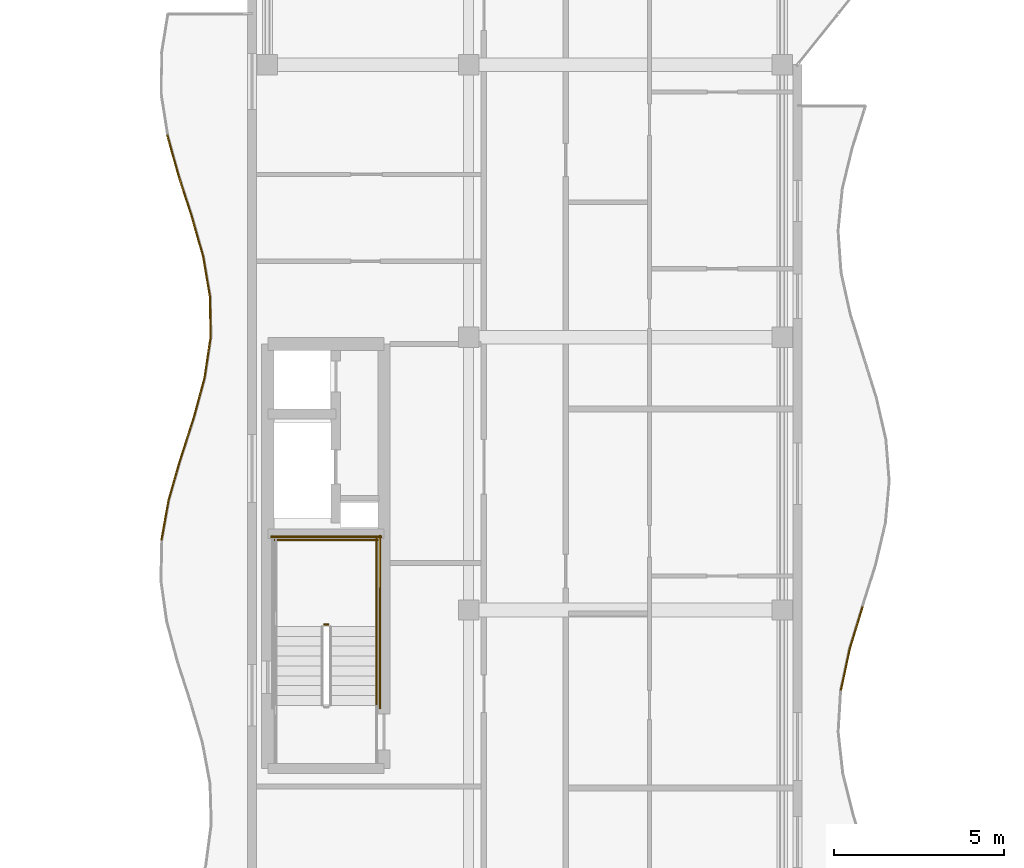
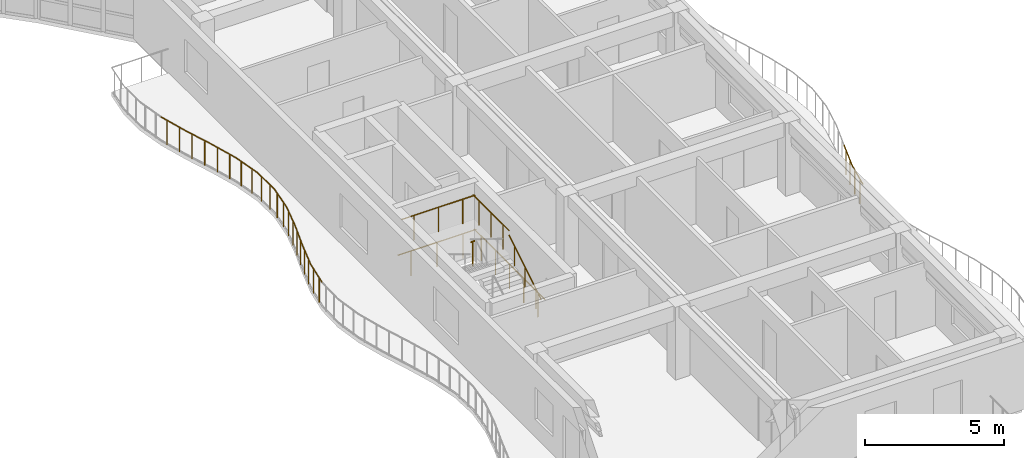
# One storey, part 59 of 71: 18 railings.
"""IFC4 building model written with IfcOpenShell, lengths in metres."""

from ifc_helpers import new_model, si_unit, direction, frame, origin, origin_2d, place, context, subcontext, project, spatial, circle, extrude, material, type_object, element, save


model = new_model("IFC4")

# Units and contexts
model_context = context("Model", 3, precision=1e-05, world=origin(), true_north=direction((0.0, 1.0)))
body_context = subcontext(model_context, "Body", "Model", "MODEL_VIEW")
ifc_project = project(units=[si_unit("LENGTHUNIT", "METRE"), si_unit("AREAUNIT", "SQUARE_METRE"), si_unit("VOLUMEUNIT", "CUBIC_METRE"), si_unit("PLANEANGLEUNIT", "RADIAN"), si_unit("MASSUNIT", "GRAM", prefix="KILO")], contexts=[model_context])

# Site, building, storey
site_placement = place(None, origin())
site = spatial("IfcSite", under=ifc_project, at=site_placement, CompositionType="ELEMENT")
building_placement = place(site_placement, origin())
building = spatial("IfcBuilding", under=site, at=building_placement, Name="Keldmere Railside Commons", CompositionType="ELEMENT")
storey_placement = place(building_placement, frame((0.0, 0.0, 20.159912109375)))
storey = spatial("IfcBuildingStorey", under=building, at=storey_placement, Name="L06", CompositionType="ELEMENT", Elevation=20.159912109375)

# Railings
ifc_material = material(Name="Steel F-24 (S235)", Category="steel")
railing_type_1 = type_object("IfcRailingType", Name="Balcony & Terrace Steel Balustrade 1100", PredefinedType="BALUSTRADE", material=ifc_material)
railing_1_placement = place(storey_placement, frame((121.2744140625, 69.64990234375, 0.0)))
element("IfcRailing", 1, at=railing_1_placement, inside=storey, type_object=railing_type_1, Name="GR-1 GRD-L06-2547", PredefinedType="BALUSTRADE", context=body_context, shape_type="SweptSolid", body=[
    extrude(circle(Radius=0.02392578125, at=origin_2d()), frame((0.0, 0.0, 1.076171875), z_axis=(0.207798139517, 0.978171729919, 0.0), x_axis=(-0.978171729919, 0.207798139517, 0.0)), (0.0, 0.0, 1.0), 1.25244140625),
    extrude(circle(Radius=0.02099609375, at=origin_2d()), frame((0.06494140625, 0.30615234375, 0.0)), (0.0, 0.0, 1.0), 1.048095703125),
    extrude(circle(Radius=0.02099609375, at=origin_2d()), frame((0.1953125, 0.9189453125, 0.0)), (0.0, 0.0, 1.0), 1.048095703125),
])
railing_2_placement = place(storey_placement, frame((121.53466796875, 70.875, 0.0)))
element("IfcRailing", 2, at=railing_2_placement, inside=storey, type_object=railing_type_1, Name="GR-1 GRD-L06-2548", PredefinedType="BALUSTRADE", context=body_context, shape_type="SweptSolid", body=[
    extrude(circle(Radius=0.02392578125, at=origin_2d()), frame((0.0, 0.0, 1.076171875), z_axis=(0.293563726254, 0.955939505737, 0.0), x_axis=(-0.955939505737, 0.293563726254, 0.0)), (0.0, 0.0, 1.0), 1.281494140625),
    extrude(circle(Radius=0.02099609375, at=origin_2d()), frame((0.093994140625, 0.30615234375, 0.0)), (0.0, 0.0, 1.0), 1.048095703125),
    extrude(circle(Radius=0.02099609375, at=origin_2d()), frame((0.2822265625, 0.9189453125, 0.0)), (0.0, 0.0, 1.0), 1.048095703125),
])
railing_3_placement = place(storey_placement, frame((101.33935546875, 74.04443359375, 0.0)))
element("IfcRailing", 3, at=railing_3_placement, inside=storey, type_object=railing_type_1, Name="GR-1 GRD-L06-2577", PredefinedType="BALUSTRADE", context=body_context, shape_type="SweptSolid", body=[
    extrude(circle(Radius=0.02392578125, at=origin_2d()), frame((0.0, 0.0, 1.076171875), z_axis=(0.17586059949, 0.984415079906, 0.0), x_axis=(-0.984415079906, 0.17586059949, 0.0)), (0.0, 0.0, 1.0), 1.207763671875),
    extrude(circle(Radius=0.02099609375, at=origin_2d()), frame((0.05322265625, 0.29736328125, 0.0)), (0.0, 0.0, 1.0), 1.048095703125),
    extrude(circle(Radius=0.02099609375, at=origin_2d()), frame((0.1591796875, 0.8916015625, 0.0)), (0.0, 0.0, 1.0), 1.048095703125),
])
railing_4_placement = place(storey_placement, frame((101.5517578125, 75.2333984375, 0.0)))
element("IfcRailing", 4, at=railing_4_placement, inside=storey, type_object=railing_type_1, Name="GR-1 GRD-L06-2578", PredefinedType="BALUSTRADE", context=body_context, shape_type="SweptSolid", body=[
    extrude(circle(Radius=0.02392578125, at=origin_2d()), frame((0.0, 0.0, 1.076171875), z_axis=(0.277430379162, 0.960745744054, 0.0), x_axis=(-0.960745744054, 0.277430379162, 0.0)), (0.0, 0.0, 1.0), 1.2373046875),
    extrude(circle(Radius=0.02099609375, at=origin_2d()), frame((0.0859375, 0.297119140625, 0.0)), (0.0, 0.0, 1.0), 1.048095703125),
    extrude(circle(Radius=0.02099609375, at=origin_2d()), frame((0.25732421875, 0.8916015625, 0.0)), (0.0, 0.0, 1.0), 1.048095703125),
])
railing_5_placement = place(storey_placement, frame((101.89501953125, 76.422119140625, 0.0)))
element("IfcRailing", 5, at=railing_5_placement, inside=storey, type_object=railing_type_1, Name="GR-1 GRD-L06-2579", PredefinedType="BALUSTRADE", context=body_context, shape_type="SweptSolid", body=[
    extrude(circle(Radius=0.02392578125, at=origin_2d()), frame((0.0, 0.0, 1.076171875), z_axis=(0.307539355173, 0.951535361939, 0.0), x_axis=(-0.951535361939, 0.307539355173, 0.0)), (0.0, 0.0, 1.0), 1.24951171875),
    extrude(circle(Radius=0.02099609375, at=origin_2d()), frame((0.09619140625, 0.29736328125, 0.0)), (0.0, 0.0, 1.0), 1.048095703125),
    extrude(circle(Radius=0.02099609375, at=origin_2d()), frame((0.2880859375, 0.8916015625, 0.0)), (0.0, 0.0, 1.0), 1.048095703125),
])
railing_6_placement = place(storey_placement, frame((102.279296875, 77.611083984375, 0.0)))
element("IfcRailing", 6, at=railing_6_placement, inside=storey, type_object=railing_type_1, Name="GR-1 GRD-L06-2580", PredefinedType="BALUSTRADE", context=body_context, shape_type="SweptSolid", body=[
    extrude(circle(Radius=0.02392578125, at=origin_2d()), frame((0.0, 0.0, 1.076171875), z_axis=(0.262899471861, 0.96482323132, 0.0), x_axis=(-0.96482323132, 0.262899471861, 0.0)), (0.0, 0.0, 1.0), 1.232421875),
    extrude(circle(Radius=0.02099609375, at=origin_2d()), frame((0.0810546875, 0.29736328125, 0.0)), (0.0, 0.0, 1.0), 1.048095703125),
    extrude(circle(Radius=0.02099609375, at=origin_2d()), frame((0.242919921875, 0.8916015625, 0.0)), (0.0, 0.0, 1.0), 1.048095703125),
])
railing_7_placement = place(storey_placement, frame((102.603271484375, 78.800048828125, 0.0)))
element("IfcRailing", 7, at=railing_7_placement, inside=storey, type_object=railing_type_1, Name="GR-1 GRD-L06-2581", PredefinedType="BALUSTRADE", context=body_context, shape_type="SweptSolid", body=[
    extrude(circle(Radius=0.02392578125, at=origin_2d()), frame((0.0, 0.0, 1.076171875), z_axis=(0.148241151414, 0.988951242998, 0.0), x_axis=(-0.988951242998, 0.148241151414, 0.0)), (0.0, 0.0, 1.0), 1.2021484375),
    extrude(circle(Radius=0.02099609375, at=origin_2d()), frame((0.04443359375, 0.29736328125, 0.0)), (0.0, 0.0, 1.0), 1.048095703125),
    extrude(circle(Radius=0.02099609375, at=origin_2d()), frame((0.1337890625, 0.8916015625, 0.0)), (0.0, 0.0, 1.0), 1.048095703125),
])
railing_8_placement = place(storey_placement, frame((102.781494140625, 79.989013671875, 0.0)))
element("IfcRailing", 8, at=railing_8_placement, inside=storey, type_object=railing_type_1, Name="GR-1 GRD-L06-2582", PredefinedType="BALUSTRADE", context=body_context, shape_type="SweptSolid", body=[
    extrude(circle(Radius=0.02392578125, at=origin_2d()), frame((0.0, 0.0, 1.076171875), z_axis=(-0.011911251878, 0.999929058523, 0.0), x_axis=(-0.999929058523, -0.011911251878, 0.0)), (0.0, 0.0, 1.0), 1.188720703125),
    extrude(circle(Radius=0.02099609375, at=origin_2d()), frame((-0.00341796875, 0.297119140625, 0.0)), (0.0, 0.0, 1.0), 1.048095703125),
    extrude(circle(Radius=0.02099609375, at=origin_2d()), frame((-0.0107421875, 0.8916015625, 0.0)), (0.0, 0.0, 1.0), 1.048095703125),
])
railing_9_placement = place(storey_placement, frame((102.767333984375, 81.177734375, 0.0)))
element("IfcRailing", 9, at=railing_9_placement, inside=storey, type_object=railing_type_1, Name="GR-1 GRD-L06-2583", PredefinedType="BALUSTRADE", context=body_context, shape_type="SweptSolid", body=[
    extrude(circle(Radius=0.02392578125, at=origin_2d()), frame((0.0, 0.0, 1.076171875), z_axis=(-0.16820531776, 0.985751982538, 0.0), x_axis=(-0.985751982538, -0.16820531776, 0.0)), (0.0, 0.0, 1.0), 1.2060546875),
    extrude(circle(Radius=0.02099609375, at=origin_2d()), frame((-0.05078125, 0.29736328125, 0.0)), (0.0, 0.0, 1.0), 1.048095703125),
    extrude(circle(Radius=0.02099609375, at=origin_2d()), frame((-0.152099609375, 0.8916015625, 0.0)), (0.0, 0.0, 1.0), 1.048095703125),
])
railing_10_placement = place(storey_placement, frame((102.564453125, 82.36669921875, 0.0)))
element("IfcRailing", 10, at=railing_10_placement, inside=storey, type_object=railing_type_1, Name="GR-1 GRD-L06-2584", PredefinedType="BALUSTRADE", context=body_context, shape_type="SweptSolid", body=[
    extrude(circle(Radius=0.02392578125, at=origin_2d()), frame((0.0, 0.0, 1.076171875), z_axis=(-0.273729774432, 0.961806638878, 0.0), x_axis=(-0.961806638878, -0.273729774432, 0.0)), (0.0, 0.0, 1.0), 1.236083984375),
    extrude(circle(Radius=0.02099609375, at=origin_2d()), frame((-0.08447265625, 0.29736328125, 0.0)), (0.0, 0.0, 1.0), 1.048095703125),
    extrude(circle(Radius=0.02099609375, at=origin_2d()), frame((-0.25390625, 0.8916015625, 0.0)), (0.0, 0.0, 1.0), 1.048095703125),
])
railing_11_placement = place(storey_placement, frame((102.22607421875, 83.5556640625, 0.0)))
element("IfcRailing", 11, at=railing_11_placement, inside=storey, type_object=railing_type_1, Name="GR-1 GRD-L06-2585", PredefinedType="BALUSTRADE", context=body_context, shape_type="SweptSolid", body=[
    extrude(circle(Radius=0.02392578125, at=origin_2d()), frame((0.0, 0.0, 1.076171875), z_axis=(-0.307773459681, 0.951459666784, 0.0), x_axis=(-0.951459666784, -0.307773459681, 0.0)), (0.0, 0.0, 1.0), 1.249267578125),
    extrude(circle(Radius=0.02099609375, at=origin_2d()), frame((-0.09619140625, 0.297119140625, 0.0)), (0.0, 0.0, 1.0), 1.048095703125),
    extrude(circle(Radius=0.02099609375, at=origin_2d()), frame((-0.288330078125, 0.8916015625, 0.0)), (0.0, 0.0, 1.0), 1.048095703125),
])
railing_12_placement = place(storey_placement, frame((101.841552734375, 84.744384765625, 0.0)))
element("IfcRailing", 12, at=railing_12_placement, inside=storey, type_object=railing_type_1, Name="GR-1 GRD-L06-2586", PredefinedType="BALUSTRADE", context=body_context, shape_type="SweptSolid", body=[
    extrude(circle(Radius=0.02392578125, at=origin_2d()), frame((0.0, 0.0, 1.076171875), z_axis=(-0.267317284082, 0.963608566603, 0.0), x_axis=(-0.963608566603, -0.267317284082, 0.0)), (0.0, 0.0, 1.0), 1.23388671875),
    extrude(circle(Radius=0.02099609375, at=origin_2d()), frame((-0.08251953125, 0.29736328125, 0.0)), (0.0, 0.0, 1.0), 1.048095703125),
    extrude(circle(Radius=0.02099609375, at=origin_2d()), frame((-0.247314453125, 0.8916015625, 0.0)), (0.0, 0.0, 1.0), 1.048095703125),
])
railing_type_2 = type_object("IfcRailingType", Name="Stair Well Steel Guardrail 1100", PredefinedType="BALUSTRADE", material=ifc_material)
railing_13_placement = place(storey_placement, frame((106.25, 71.570068359375, 1.60009765625)))
element("IfcRailing", 13, at=railing_13_placement, inside=storey, type_object=railing_type_2, Name="L06 ST-B1 stair guard 2", PredefinedType="BALUSTRADE", context=body_context, shape_type="SweptSolid", body=[
    extrude(circle(Radius=0.02392578125, at=origin_2d()), frame((0.0, 0.0, 1.076171875), z_axis=(-1.0, 0.0, 0.0), x_axis=(0.0, -1.0, 0.0)), (0.0, 0.0, 1.0), 0.14990234375),
    extrude(circle(Radius=0.02099609375, at=origin_2d()), frame((-0.074951171875, 0.0, 0.0)), (0.0, 0.0, 1.0), 1.048095703125),
])
railing_14_placement = place(storey_placement, frame((107.64990234375, 71.52001953125, 1.60009765625)))
element("IfcRailing", 14, at=railing_14_placement, inside=storey, type_object=railing_type_2, Name="L06 ST-B1 stair guard 3", PredefinedType="BALUSTRADE", context=body_context, shape_type="SweptSolid", body=[
    extrude(circle(Radius=0.02392578125, at=origin_2d()), frame((0.0, 0.0, 1.076171875), z_axis=(0.0, 1.0, 0.0), x_axis=(-1.0, 0.0, 0.0)), (0.0, 0.0, 1.0), 2.580078125),
    extrude(circle(Radius=0.02099609375, at=origin_2d()), frame((0.0, 0.429931640625, 0.0)), (0.0, 0.0, 1.0), 1.048095703125),
    extrude(circle(Radius=0.02099609375, at=origin_2d()), frame((0.0, 1.2900390625, 0.0)), (0.0, 0.0, 1.0), 1.048095703125),
    extrude(circle(Radius=0.02099609375, at=origin_2d()), frame((0.0, 2.150146484375, 0.0)), (0.0, 0.0, 1.0), 1.048095703125),
])
railing_15_placement = place(storey_placement, frame((107.699951171875, 74.050048828125, 1.60009765625)))
element("IfcRailing", 15, at=railing_15_placement, inside=storey, type_object=railing_type_2, Name="L06 ST-B1 stair guard 5", PredefinedType="BALUSTRADE", context=body_context, shape_type="SweptSolid", body=[
    extrude(circle(Radius=0.02392578125, at=origin_2d()), frame((0.0, 0.0, 1.076171875), z_axis=(-1.0, 0.0, 0.0), x_axis=(0.0, -1.0, 0.0)), (0.0, 0.0, 1.0), 3.050048828125),
    extrude(circle(Radius=0.02099609375, at=origin_2d()), frame((-0.50830078125, 0.0, 0.0)), (0.0, 0.0, 1.0), 1.048095703125),
    extrude(circle(Radius=0.02099609375, at=origin_2d()), frame((-1.52490234375, 0.0, 0.0)), (0.0, 0.0, 1.0), 1.048095703125),
    extrude(circle(Radius=0.02099609375, at=origin_2d()), frame((-2.541748046875, 0.0, 0.0)), (0.0, 0.0, 1.0), 1.048095703125),
])
railing_16_placement = place(storey_placement, frame((107.75, 69.10009765625, 0.0)))
element("IfcRailing", 16, at=railing_16_placement, inside=storey, type_object=railing_type_2, Name="L06 ST-B1 stair guard 10", PredefinedType="BALUSTRADE", context=body_context, shape_type="SweptSolid", body=[
    extrude(circle(Radius=0.02392578125, at=origin_2d()), frame((0.0, 0.0, 1.076171875), z_axis=(0.0, 1.0, 0.0), x_axis=(-1.0, 0.0, 0.0)), (0.0, 0.0, 1.0), 5.099853515625),
    extrude(circle(Radius=0.02099609375, at=origin_2d()), frame((0.0, 0.510009765625, 0.0)), (0.0, 0.0, 1.0), 1.048095703125),
    extrude(circle(Radius=0.02099609375, at=origin_2d()), frame((0.0, 1.530029296875, 0.0)), (0.0, 0.0, 1.0), 1.048095703125),
    extrude(circle(Radius=0.02099609375, at=origin_2d()), frame((0.0, 2.5498046875, 0.0)), (0.0, 0.0, 1.0), 1.048095703125),
    extrude(circle(Radius=0.02099609375, at=origin_2d()), frame((0.0, 3.56982421875, 0.0)), (0.0, 0.0, 1.0), 1.048095703125),
    extrude(circle(Radius=0.02099609375, at=origin_2d()), frame((0.0, 4.58984375, 0.0)), (0.0, 0.0, 1.0), 1.048095703125),
])
railing_17_placement = place(storey_placement, frame((107.800048828125, 74.14990234375, 0.0)))
element("IfcRailing", 17, at=railing_17_placement, inside=storey, type_object=railing_type_2, Name="L06 ST-B1 stair guard 12", PredefinedType="BALUSTRADE", context=body_context, shape_type="SweptSolid", body=[
    extrude(circle(Radius=0.02392578125, at=origin_2d()), frame((0.0, 0.0, 1.076171875), z_axis=(-1.0, 0.0, 0.0), x_axis=(0.0, -1.0, 0.0)), (0.0, 0.0, 1.0), 3.25),
    extrude(circle(Radius=0.02099609375, at=origin_2d()), frame((-0.541748046875, 0.0, 0.0)), (0.0, 0.0, 1.0), 1.048095703125),
    extrude(circle(Radius=0.02099609375, at=origin_2d()), frame((-1.625, 0.0, 0.0)), (0.0, 0.0, 1.0), 1.048095703125),
    extrude(circle(Radius=0.02099609375, at=origin_2d()), frame((-2.708251953125, 0.0, 0.0)), (0.0, 0.0, 1.0), 1.048095703125),
])
railing_type_3 = type_object("IfcRailingType", Name="Wall-Mounted Tubular Steel Handrail 900", PredefinedType="HANDRAIL", material=ifc_material)
railing_18_placement = place(storey_placement, frame((107.64990234375, 69.199951171875, 0.177978515625)))
element("IfcRailing", 18, at=railing_18_placement, inside=storey, type_object=railing_type_3, Name="L06 ST-B1 stair handrail 1", PredefinedType="HANDRAIL", context=body_context, shape_type="SweptSolid", body=[
    extrude(circle(Radius=0.02392578125, at=origin_2d()), frame((0.0, 0.0, 0.8759765625), z_axis=(0.0, 0.852578041948, 0.522599925744), x_axis=(-1.0, 0.0, 0.0)), (0.0, 0.0, 1.0), 2.72119140625),
    extrude(circle(Radius=0.02099609375, at=origin_2d()), frame((0.0, 0.38671875, 0.237060546875)), (0.0, 0.0, 1.0), 0.847900390625),
    extrude(circle(Radius=0.02099609375, at=origin_2d()), frame((0.0, 1.16015625, 0.7109375)), (0.0, 0.0, 1.0), 0.847900390625),
    extrude(circle(Radius=0.02099609375, at=origin_2d()), frame((0.0, 1.933349609375, 1.18505859375)), (0.0, 0.0, 1.0), 0.847900390625),
])

save(model, "model.ifc")
